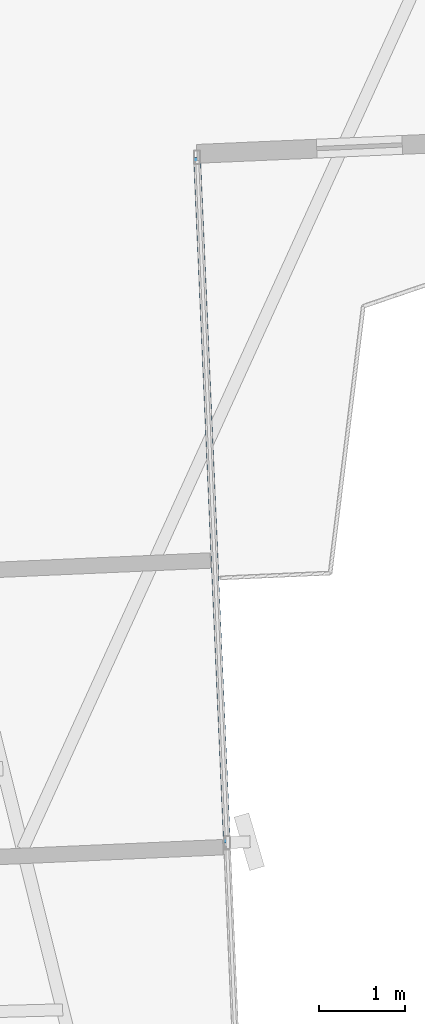
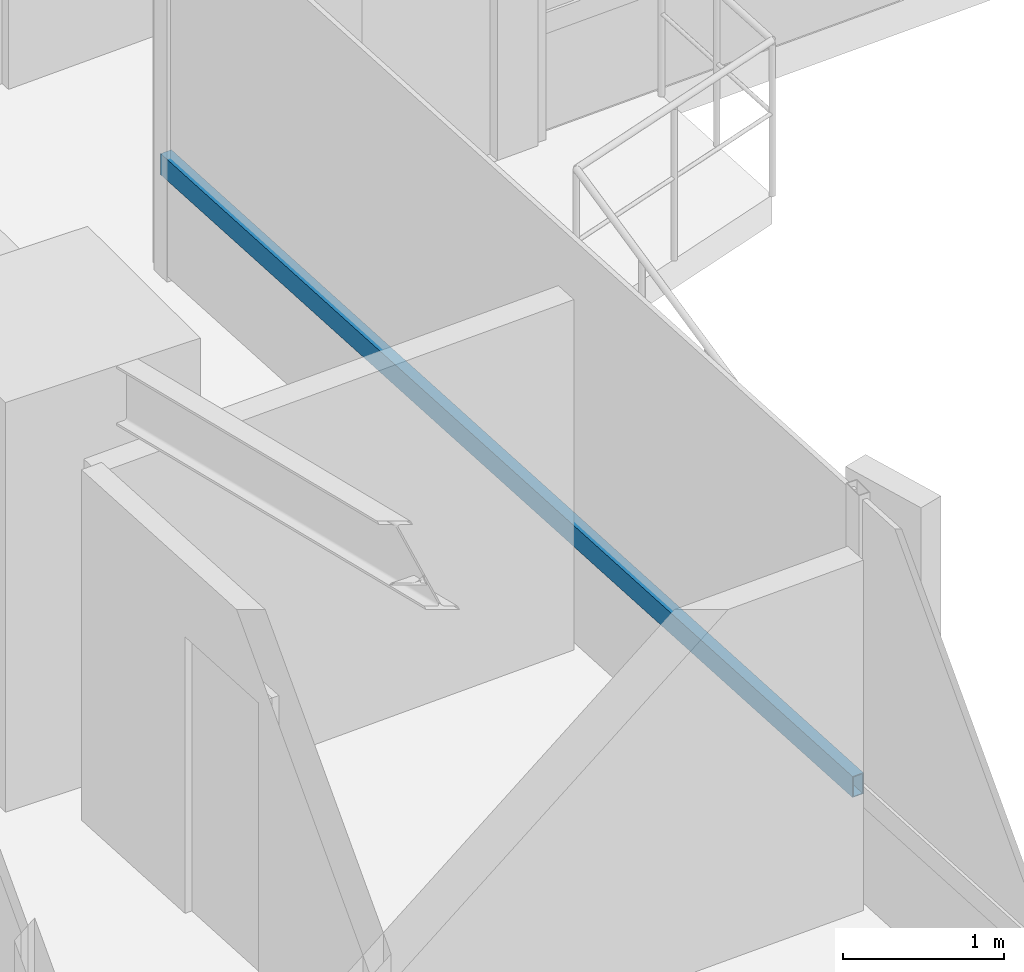
# One storey, part 7 of 26: 1 member, 1 element without a shape of its own.
"""IFC4 building model written with IfcOpenShell, lengths in metres."""

from ifc_helpers import new_model, si_unit, direction, frame, origin, origin_2d, place, context, subcontext, project, spatial, hollow_rectangle, extrude, source, transform, mapped, material, material_profile, profile_set, type_object, element, aggregate, save


model = new_model("IFC4")

# Units and contexts
model_context = context("Model", 3, precision=1e-05, world=origin(), true_north=direction((0.0, 1.0)))
body_context = subcontext(model_context, "Body", "Model", "MODEL_VIEW")
ifc_project = project(units=[si_unit("LENGTHUNIT", "METRE"), si_unit("AREAUNIT", "SQUARE_METRE"), si_unit("VOLUMEUNIT", "CUBIC_METRE"), si_unit("PLANEANGLEUNIT", "RADIAN"), si_unit("MASSUNIT", "GRAM", prefix="KILO")], contexts=[model_context])

# Site, building, storey
site_placement = place(None, origin())
site = spatial("IfcSite", under=ifc_project, at=site_placement, CompositionType="ELEMENT")
building_placement = place(site_placement, origin())
building = spatial("IfcBuilding", under=site, at=building_placement, Name="Sahyath Konkavel Grand Hotel", CompositionType="ELEMENT")
storey_placement = place(building_placement, frame((0.0, 0.0, 100.25)))
storey = spatial("IfcBuildingStorey", under=building, at=storey_placement, Name="L27", CompositionType="ELEMENT", Elevation=100.25)

# Curtain wall, member
ifc_material_1 = material(Name="Anodised Bronze Aluminium & Low-E Glazing", Category="aluminium")
curtain_wall_type = type_object("IfcCurtainWallType", Name="CW-ZONE2", PredefinedType="NOTDEFINED", material=ifc_material_1)
curtain_wall_placement = place(storey_placement, origin())
curtain_wall = element("IfcCurtainWall", 1, at=curtain_wall_placement, inside=storey, type_object=curtain_wall_type, Name="L27 Unitised Curtain Wall F31", PredefinedType="NOTDEFINED")
ifc_material_2 = material(Name="Anodised Bronze Aluminium", Category="aluminium")
ifc_material_profile = material_profile(ifc_material_2, hollow_rectangle(XDim=0.080078125, YDim=0.159912109375, WallThickness=0.006103515625, at=origin_2d()), Name="RHS 160x80x6")
ifc_profile_set = profile_set([ifc_material_profile], Name="Anodised Bronze Aluminium")
member_type = type_object("IfcMemberType", Name="CW-TRN-160", PredefinedType="USERDEFINED", material=ifc_profile_set)
shared_shape = source(origin(), body_context, "Body", "SweptSolid", [
    extrude(hollow_rectangle(XDim=0.080078125, YDim=0.159912109375, WallThickness=0.006103515625, at=origin_2d()), origin(), (0.0, 0.0, 1.0), 8.010009765625),
])
member_placement = place(storey_placement, frame((7.232666015625, -14.34814453125, 0.85009765625), z_axis=(-0.043615785896, 0.999048378819, 0.0), x_axis=(-0.999048378819, -0.043615785896, 0.0)))
member = element("IfcMember", 2, at=member_placement, type_object=member_type, Name="L27 Curtain Wall Transom F31-1-spandrel", ObjectType="TRANSOM", PredefinedType="USERDEFINED", context=body_context, shape_type="MappedRepresentation", body=[
    mapped(shared_shape, transform((0.0, 0.0, 0.0), scale=1.0)),
])
aggregate(curtain_wall, [member])

save(model, "model.ifc")
